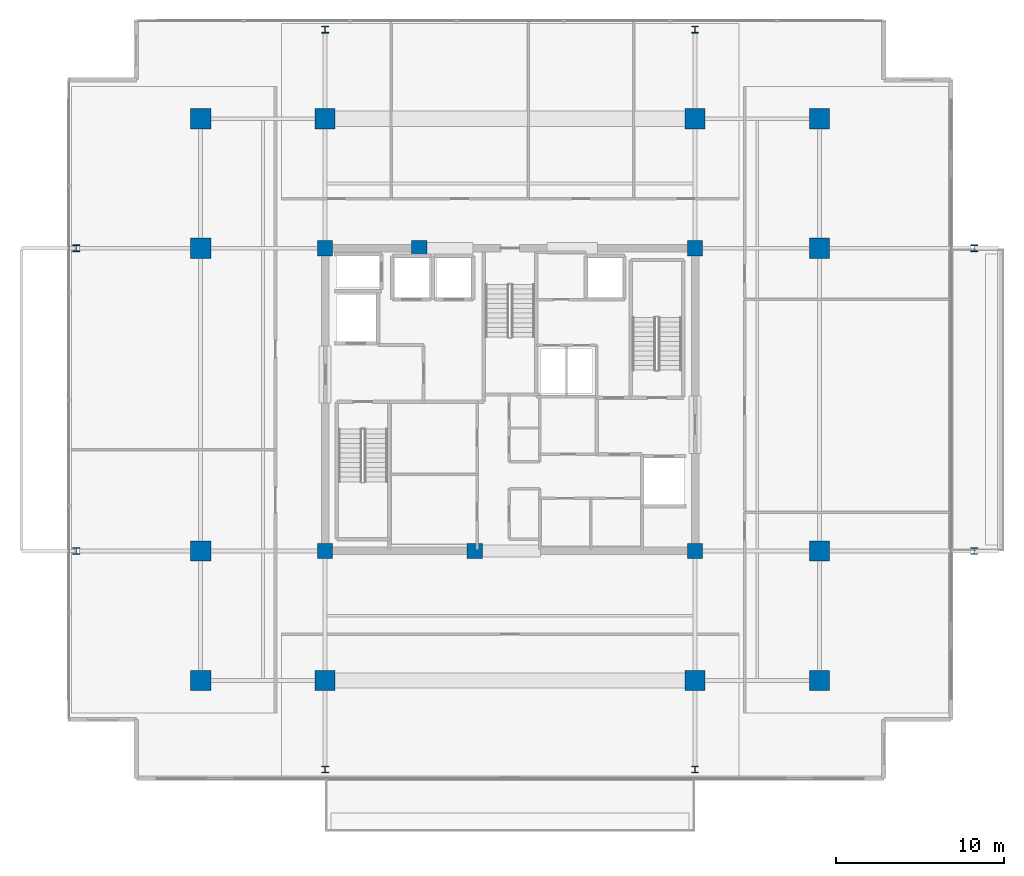
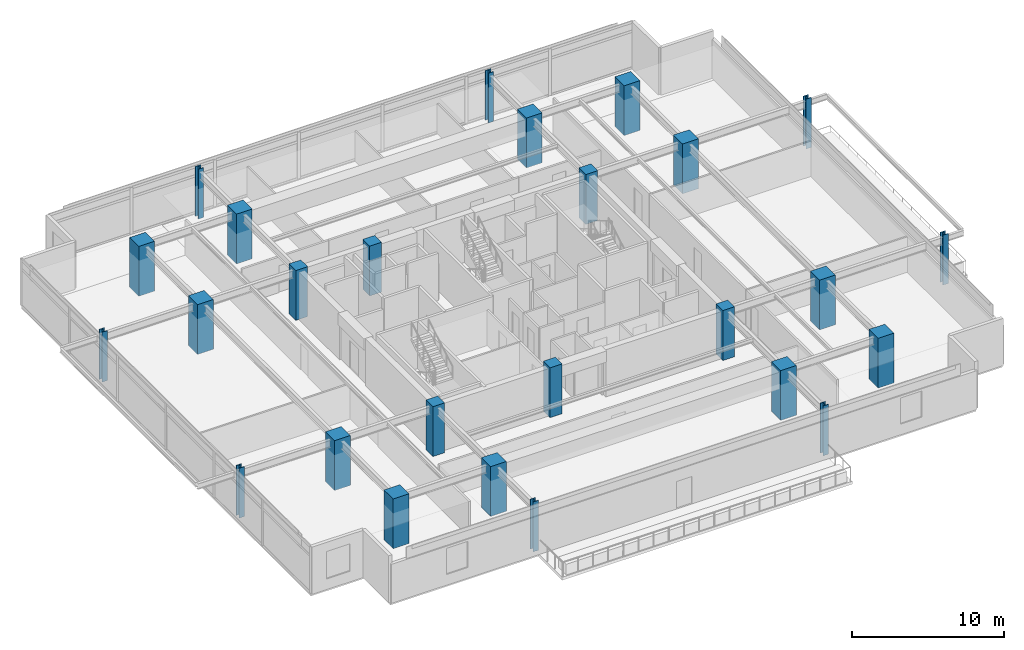
# One storey, part 1 of 23: 26 columns.
"""IFC4 building model written with IfcOpenShell, lengths in metres."""

import ifcopenshell
import ifcopenshell.guid

model = None  # the IFC model being written
_history = None  # IfcOwnerHistory: only IFC2X3 demands one
_inside = {}  # id of a spatial element -> (the spatial element, [elements in it])
_under = {}  # id of a project, library or spatial element -> (it, [spatial elements below it])
_declared = {}  # id of a project -> (the project, [libraries it declares])
_typed = {}  # id of a type object -> (the type object, [elements of that type])
_made_of = {}  # id of a material, layer set ... -> (it, [elements and type objects made of it])


def new_model(schema):
    """Start an empty IFC model of exactly this schema.

    Asked for "IFC4X3", IfcOpenShell would pick the latest addendum, in which some entities
    have other attributes; the version numbers below select the first issue.
    IFC2X3 requires an IfcOwnerHistory on every rooted entity: one is made here for all.
    """
    global model, _history
    if schema == "IFC4X3":
        model = ifcopenshell.file(schema_version=(4, 3, 0, 0))
    else:
        model = ifcopenshell.file(schema=schema)
    _inside.clear()
    _under.clear()
    _declared.clear()
    _typed.clear()
    _made_of.clear()
    _history = None
    if model.schema == "IFC2X3":
        org = make("IfcOrganization", Name="unknown")
        user = make(
            "IfcPersonAndOrganization",
            ThePerson=make("IfcPerson", FamilyName="unknown"),
            TheOrganization=org,
        )
        app = make(
            "IfcApplication",
            ApplicationDeveloper=org,
            Version="unknown",
            ApplicationFullName="unknown",
            ApplicationIdentifier="unknown",
        )
        _history = make(
            "IfcOwnerHistory",
            OwningUser=user,
            OwningApplication=app,
            ChangeAction="ADDED",
            CreationDate=0,
        )
    return model


def make(cls, **values):
    """One entity of the class cls with the attributes given. An attribute that is None is left unset."""
    return model.create_entity(
        cls, **{name: value for name, value in values.items() if value is not None}
    )


def rooted(cls, **values):
    """An entity with a GlobalId (a new one), such as an element, a storey or a relation."""
    return make(cls, GlobalId=ifcopenshell.guid.new(), OwnerHistory=_history, **values)


def si_unit(unit_type, name, prefix=None):
    """IfcSIUnit, for example si_unit("LENGTHUNIT", "METRE", prefix="MILLI")."""
    return make("IfcSIUnit", UnitType=unit_type, Prefix=prefix, Name=name)


def assignment(units):
    """IfcUnitAssignment: the units of a project."""
    return None if units is None else make("IfcUnitAssignment", Units=units)


def point(xyz):
    """IfcCartesianPoint."""
    return None if xyz is None else make("IfcCartesianPoint", Coordinates=xyz)


def direction(xyz):
    """IfcDirection."""
    return None if xyz is None else make("IfcDirection", DirectionRatios=xyz)


def frame(location, z_axis=None, x_axis=None):
    """IfcAxis2Placement3D, a coordinate frame: its origin and axes. An axis left out is left unset."""
    return make(
        "IfcAxis2Placement3D",
        Location=point(location),
        Axis=direction(z_axis),
        RefDirection=direction(x_axis),
    )


def frame_2d(location, x_axis=None):
    """IfcAxis2Placement2D, a coordinate frame in the plane: its origin and x axis."""
    return make(
        "IfcAxis2Placement2D", Location=point(location), RefDirection=direction(x_axis)
    )


def origin():
    """The frame at (0, 0, 0) with its axes left unset."""
    return frame((0.0, 0.0, 0.0))


def origin_2d():
    """The frame at (0, 0) in the plane with its x axis left unset."""
    return frame_2d((0.0, 0.0))


def place(relative_to, where):
    """IfcLocalPlacement: puts the frame where relative to a parent placement (None: the world)."""
    return make(
        "IfcLocalPlacement", PlacementRelTo=relative_to, RelativePlacement=where
    )


def context(
    kind, dimensions, precision=None, world=None, true_north=None, identifier=None
):
    """IfcGeometricRepresentationContext, for example the 3D "Model" context."""
    return make(
        "IfcGeometricRepresentationContext",
        ContextIdentifier=identifier,
        ContextType=kind,
        CoordinateSpaceDimension=dimensions,
        Precision=precision,
        WorldCoordinateSystem=world,
        TrueNorth=true_north,
    )


def subcontext(parent, identifier, kind, view, scale=None):
    """IfcGeometricRepresentationSubContext, for example "Body" below "Model"."""
    return make(
        "IfcGeometricRepresentationSubContext",
        ContextIdentifier=identifier,
        ContextType=kind,
        ParentContext=parent,
        TargetScale=scale,
        TargetView=view,
    )


def project(units=None, contexts=None):
    """IfcProject with its units and contexts."""
    return rooted(
        "IfcProject",
        Name="project",
        RepresentationContexts=contexts,
        UnitsInContext=assignment(units),
    )


def spatial(cls, under=None, at=None, **own):
    """A site, building, storey or space (cls), placed at a placement, below another one or the project."""
    s = rooted(cls, ObjectPlacement=at, **own)
    if under is not None:
        _under.setdefault(under.id(), (under, []))[1].append(s)
    return s


def profile(cls, at=None, kind="AREA", **sizes):
    """A parametric profile (cls). Its sizes go by their IFC names, for example OverallWidth=200.0."""
    return make(cls, ProfileType=kind, Position=at, **sizes)


def rectangle(**sizes):
    """IfcRectangleProfileDef."""
    return profile("IfcRectangleProfileDef", **sizes)


def i_section(**sizes):
    """IfcIShapeProfileDef."""
    return profile("IfcIShapeProfileDef", **sizes)


def extrude(swept, where, along, depth):
    """IfcExtrudedAreaSolid: the profile swept, set in the frame where, extruded along a direction by depth."""
    return make(
        "IfcExtrudedAreaSolid",
        SweptArea=swept,
        Position=where,
        ExtrudedDirection=direction(along),
        Depth=depth,
    )


def shape(context_of_items, identifier, shape_type, items):
    """IfcShapeRepresentation: the items that make up one representation, for example the "Body"."""
    return make(
        "IfcShapeRepresentation",
        ContextOfItems=context_of_items,
        RepresentationIdentifier=identifier,
        RepresentationType=shape_type,
        Items=items,
    )


def material(Name=None, Category=None):
    """IfcMaterial."""
    return make("IfcMaterial", Name=Name, Category=Category)


def material_profile(
    of_material, cross_section, Name=None, Category=None, Priority=None
):
    """IfcMaterialProfile: a cross section and its material."""
    return make(
        "IfcMaterialProfile",
        Name=Name,
        Material=of_material,
        Profile=cross_section,
        Priority=Priority,
        Category=Category,
    )


def profile_set(profiles, Name=None, composite=None):
    """IfcMaterialProfileSet."""
    return make(
        "IfcMaterialProfileSet",
        Name=Name,
        MaterialProfiles=profiles,
        CompositeProfile=composite,
    )


def made_of(thing, what):
    """Note that an element or type object is made of a material, layer set ...; save() writes the relation."""
    if what is not None:
        _made_of.setdefault(what.id(), (what, []))[1].append(thing)
    return thing


def type_object(cls, material=None, **own):
    """A type object (cls), such as IfcWallType, which elements share."""
    return made_of(rooted(cls, **own), material)


def element(
    cls,
    number,
    at=None,
    inside=None,
    cuts=None,
    type_object=None,
    material=None,
    context=None,
    identifier="Body",
    shape_type=None,
    held_by="IfcProductDefinitionShape",
    body=None,
    shapes=None,
    **own,
):
    """One element of the class cls, such as IfcWall. Its Tag is "e" and its number.

    at: its placement. inside: the storey or other place that contains it. cuts: it is an
    opening in that element (IfcRelVoidsElement). A single representation is given by context,
    identifier, shape_type and body (its items); several are given by shapes. held_by: the class
    of the entity that holds the representations. save() writes the other relations.
    """
    e = rooted(cls, Tag="e%d" % number, ObjectPlacement=at, **own)
    if body is not None:
        shapes = [shape(context, identifier, shape_type, body)]
    if shapes is not None:
        e.Representation = make(held_by, Representations=shapes)
    if inside is not None:
        _inside.setdefault(inside.id(), (inside, []))[1].append(e)
    if cuts is not None:
        rooted(
            "IfcRelVoidsElement", RelatingBuildingElement=cuts, RelatedOpeningElement=e
        )
    if type_object is not None:
        _typed.setdefault(type_object.id(), (type_object, []))[1].append(e)
    return made_of(e, material)


def aggregate(whole, parts):
    """IfcRelAggregates: a whole, such as a stair, and the parts it consists of."""
    return rooted("IfcRelAggregates", RelatingObject=whole, RelatedObjects=parts)


def save(model, path):
    """Write the relations noted so far, then the file.

    IfcRelAggregates (storeys below a building ...), IfcRelContainedInSpatialStructure (elements
    in a storey), IfcRelDefinesByType, IfcRelAssociatesMaterial and IfcRelDeclares: one each for
    every whole, place, type object, material and project.
    """
    for whole, parts in _under.values():
        aggregate(whole, parts)
    for where, things in _inside.values():
        rooted(
            "IfcRelContainedInSpatialStructure",
            RelatedElements=things,
            RelatingStructure=where,
        )
    for kind, things in _typed.values():
        rooted("IfcRelDefinesByType", RelatedObjects=things, RelatingType=kind)
    for what, things in _made_of.values():
        rooted("IfcRelAssociatesMaterial", RelatedObjects=things, RelatingMaterial=what)
    for by, libraries in _declared.values():
        rooted("IfcRelDeclares", RelatingContext=by, RelatedDefinitions=libraries)
    model.write(path)


model = new_model("IFC4")

# Units and contexts
model_context = context("Model", 3, precision=1e-05, world=origin(), true_north=direction((0.0, 1.0)))
body_context = subcontext(model_context, "Body", "Model", "MODEL_VIEW")
ifc_project = project(units=[si_unit("LENGTHUNIT", "METRE"), si_unit("AREAUNIT", "SQUARE_METRE"), si_unit("VOLUMEUNIT", "CUBIC_METRE"), si_unit("PLANEANGLEUNIT", "RADIAN"), si_unit("MASSUNIT", "GRAM", prefix="KILO")], contexts=[model_context])

# Site, building, storey
site_placement = place(None, origin())
site = spatial("IfcSite", under=ifc_project, at=site_placement, CompositionType="ELEMENT")
building_placement = place(site_placement, origin())
building = spatial("IfcBuilding", under=site, at=building_placement, Name="Kovane Verandah Tower", CompositionType="ELEMENT")
storey_placement = place(building_placement, frame((0.0, 0.0, 267.199951171875)))
storey = spatial("IfcBuildingStorey", under=building, at=storey_placement, Name="L62", CompositionType="ELEMENT", Elevation=267.199951171875)

# Columns
ifc_material_1 = material(Name="Concrete C60/75", Category="concrete")
ifc_material_profile_1 = material_profile(ifc_material_1, rectangle(XDim=1.199951171875, YDim=1.199951171875, at=origin_2d()), Name="RC1200x1200")
ifc_profile_set_1 = profile_set([ifc_material_profile_1], Name="Concrete C60/75")
column_type_1 = type_object("IfcColumnType", Name="COL-RC1200", PredefinedType="COLUMN", material=ifc_profile_set_1)
for number, where, z_axis, x_axis, name in (
    (1, (29.0, 10.800048828125, 0.0), (0.0, 0.0, 1.0), (1.0, 0.0, 0.0), "L62 Tower Mega-Column MC-S1"),
    (2, (51.0, 10.800048828125, 0.0), (0.0, 0.0, 1.0), (1.0, 0.0, 0.0), "L62 Tower Mega-Column MC-S2"),
    (3, (29.0, 44.199951171875, 0.0), (0.0, 0.0, 1.0), (1.0, 0.0, 0.0), "L62 Tower Mega-Column MC-N1"),
    (4, (51.0, 44.199951171875, 0.0), (0.0, 0.0, 1.0), (1.0, 0.0, 0.0), "L62 Tower Mega-Column MC-N2"),
    (5, (21.60009765625, 18.5, 0.0), (0.0, 0.0, 1.0), (1.0, 0.0, 0.0), "L62 Tower Mega-Column MC-W1"),
    (6, (21.60009765625, 36.5, 0.0), (0.0, 0.0, 1.0), (1.0, 0.0, 0.0), "L62 Tower Mega-Column MC-W2"),
    (7, (58.39990234375, 18.5, 0.0), (0.0, 0.0, 1.0), (1.0, 0.0, 0.0), "L62 Tower Mega-Column MC-E1"),
    (8, (58.39990234375, 36.5, 0.0), (0.0, 0.0, 1.0), (1.0, 0.0, 0.0), "L62 Tower Mega-Column MC-E2"),
    (9, (21.60009765625, 10.800048828125, 0.0), (0.0, 0.0, 1.0), (1.0, 0.0, 0.0), "L62 Tower Mega-Column MC-SW"),
    (10, (58.39990234375, 10.800048828125, 0.0), (0.0, 0.0, 1.0), (1.0, 0.0, 0.0), "L62 Tower Mega-Column MC-SE"),
    (11, (21.60009765625, 44.199951171875, 0.0), (0.0, 0.0, 1.0), (1.0, 0.0, 0.0), "L62 Tower Mega-Column MC-NW"),
    (12, (58.39990234375, 44.199951171875, 0.0), (0.0, 0.0, 1.0), (1.0, 0.0, 0.0), "L62 Tower Mega-Column MC-NE"),
):
    element("IfcColumn", number, at=place(storey_placement, frame(where, z_axis=z_axis, x_axis=x_axis)), inside=storey, type_object=column_type_1, Name=name, PredefinedType="COLUMN", context=body_context, shape_type="SweptSolid", body=[
        extrude(rectangle(XDim=1.199951171875, YDim=1.199951171875, at=origin_2d()), origin(), (0.0, 0.0, 1.0), 4.0),
    ])
ifc_material_2 = material(Name="Steel S460", Category="steel")
ifc_material_profile_2 = material_profile(ifc_material_2, i_section(OverallWidth=0.403076171875, OverallDepth=0.406494140625, WebThickness=0.026611328125, FlangeThickness=0.04296875, FilletRadius=0.01513671875, at=origin_2d()), Name="UC356x406x340")
ifc_profile_set_2 = profile_set([ifc_material_profile_2], Name="Steel S460")
column_type_2 = type_object("IfcColumnType", Name="COL-UC340", PredefinedType="COLUMN", material=ifc_profile_set_2)
for number, where, z_axis, x_axis, name in (
    (13, (14.199951171875, 18.5, 0.0), (0.0, 0.0, 1.0), (1.0, 0.0, 0.0), "L62 Verandah Perimeter Column VC-W1"),
    (14, (14.199951171875, 36.5, 0.0), (0.0, 0.0, 1.0), (1.0, 0.0, 0.0), "L62 Verandah Perimeter Column VC-W2"),
    (15, (67.60009765625, 18.5, 0.0), (0.0, 0.0, 1.0), (1.0, 0.0, 0.0), "L62 Verandah Perimeter Column VC-E1"),
    (16, (67.60009765625, 36.5, 0.0), (0.0, 0.0, 1.0), (1.0, 0.0, 0.0), "L62 Verandah Perimeter Column VC-E2"),
    (17, (29.0, 5.5, 0.0), (0.0, 0.0, 1.0), (1.0, 0.0, 0.0), "L62 Verandah Perimeter Column VC-S1"),
    (18, (51.0, 5.5, 0.0), (0.0, 0.0, 1.0), (1.0, 0.0, 0.0), "L62 Verandah Perimeter Column VC-S2"),
    (19, (29.0, 49.5, 0.0), (0.0, 0.0, 1.0), (1.0, 0.0, 0.0), "L62 Verandah Perimeter Column VC-N1"),
    (20, (51.0, 49.5, 0.0), (0.0, 0.0, 1.0), (1.0, 0.0, 0.0), "L62 Verandah Perimeter Column VC-N2"),
):
    element("IfcColumn", number, at=place(storey_placement, frame(where, z_axis=z_axis, x_axis=x_axis)), inside=storey, type_object=column_type_2, Name=name, PredefinedType="COLUMN", context=body_context, shape_type="SweptSolid", body=[
        extrude(i_section(OverallWidth=0.403076171875, OverallDepth=0.406494140625, WebThickness=0.026611328125, FlangeThickness=0.04296875, FilletRadius=0.01513671875, at=origin_2d()), origin(), (0.0, 0.0, 1.0), 4.0),
    ])
ifc_material_profile_3 = material_profile(ifc_material_1, rectangle(XDim=0.89990234375, YDim=0.89990234375, at=origin_2d()), Name="RC900x900")
ifc_profile_set_3 = profile_set([ifc_material_profile_3], Name="Concrete C60/75")
column_type_3 = type_object("IfcColumnType", Name="PIL-RC900", PredefinedType="PILASTER", material=ifc_profile_set_3)
for number, where, z_axis, x_axis, name in (
    (21, (29.0, 18.5, 0.0), (0.0, 0.0, 1.0), (1.0, 0.0, 0.0), "L62 Core Pilaster CP-SW"),
    (22, (51.0, 18.5, 0.0), (0.0, 0.0, 1.0), (1.0, 0.0, 0.0), "L62 Core Pilaster CP-SE"),
    (23, (29.0, 36.5, 0.0), (0.0, 0.0, 1.0), (1.0, 0.0, 0.0), "L62 Core Pilaster CP-NW"),
    (24, (51.0, 36.5, 0.0), (0.0, 0.0, 1.0), (1.0, 0.0, 0.0), "L62 Core Pilaster CP-NE"),
    (25, (37.89990234375, 18.5, 0.0), (0.0, 0.0, 1.0), (1.0, 0.0, 0.0), "L62 Core Pilaster CP-S"),
    (26, (34.60009765625, 36.5, 0.0), (0.0, 0.0, 1.0), (1.0, 0.0, 0.0), "L62 Core Pilaster CP-N"),
):
    element("IfcColumn", number, at=place(storey_placement, frame(where, z_axis=z_axis, x_axis=x_axis)), inside=storey, type_object=column_type_3, Name=name, PredefinedType="PILASTER", context=body_context, shape_type="SweptSolid", body=[
        extrude(rectangle(XDim=0.89990234375, YDim=0.89990234375, at=origin_2d()), origin(), (0.0, 0.0, 1.0), 4.0),
    ])

save(model, "model.ifc")
